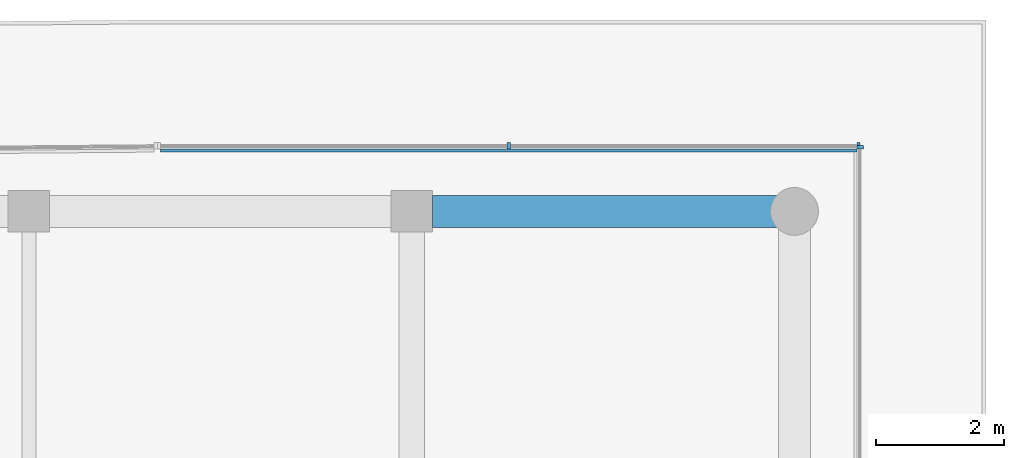
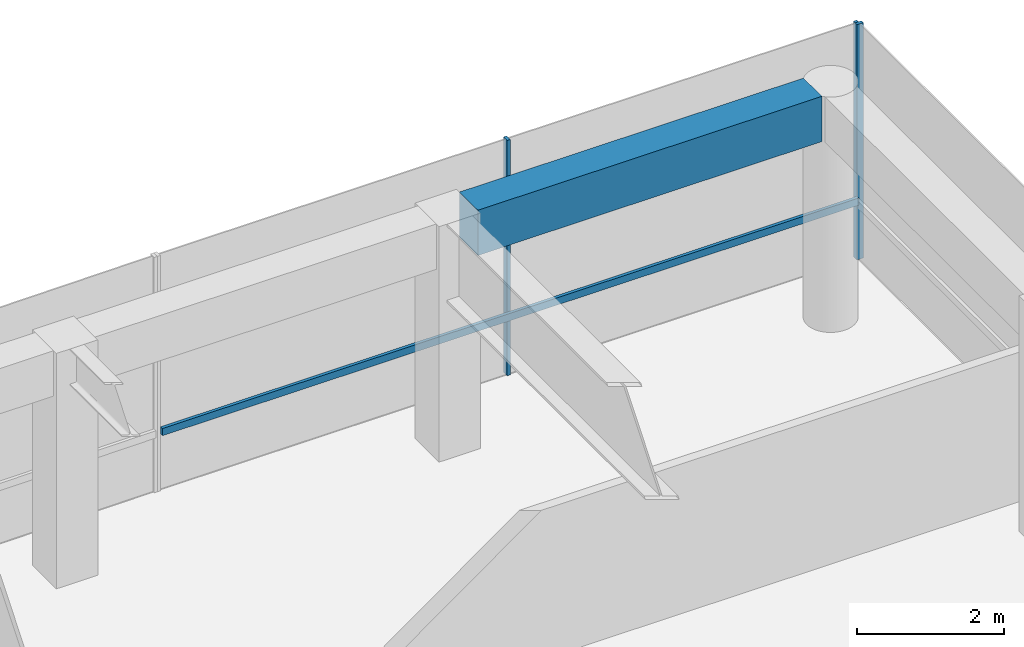
# One storey, part 15 of 21: 4 members, 1 beam, 2 elements without a shape of their own.
"""IFC4 building model written with IfcOpenShell, lengths in metres."""

from ifc_helpers import new_model, si_unit, direction, frame, origin, origin_2d, place, context, subcontext, project, spatial, rectangle, extrude, material, layer, layer_set, material_profile, profile_set, type_object, element, aggregate, save


model = new_model("IFC4")

# Units and contexts
model_context = context("Model", 3, precision=1e-05, world=origin(), true_north=direction((0.0, 1.0)))
body_context = subcontext(model_context, "Body", "Model", "MODEL_VIEW")
ifc_project = project(units=[si_unit("LENGTHUNIT", "METRE"), si_unit("AREAUNIT", "SQUARE_METRE"), si_unit("VOLUMEUNIT", "CUBIC_METRE"), si_unit("PLANEANGLEUNIT", "RADIAN"), si_unit("MASSUNIT", "GRAM", prefix="KILO")], contexts=[model_context])

# Site, building, storey
site_placement = place(None, origin())
site = spatial("IfcSite", under=ifc_project, at=site_placement, CompositionType="ELEMENT")
building_placement = place(site_placement, origin())
building = spatial("IfcBuilding", under=site, at=building_placement, Name="Welwitschia Terrace Campus", CompositionType="ELEMENT")
storey_placement = place(building_placement, frame((0.0, 0.0, 331.39990234375)))
storey = spatial("IfcBuildingStorey", under=building, at=storey_placement, Name="L74", CompositionType="ELEMENT", Elevation=331.39990234375)

# Curtain wall, member
ifc_material_1 = material(Name="Bronze anodised aluminium", Category="aluminium")
ifc_layer = layer(ifc_material_1, 0.10009765625)
ifc_layer_set = layer_set([ifc_layer], Name="Bronze anodised aluminium")
curtain_wall_type = type_object("IfcCurtainWallType", Name="Curtain wall CW5 crown 6000", PredefinedType="NOTDEFINED", material=ifc_layer_set)
curtain_wall_1_placement = place(storey_placement, origin())
curtain_wall_1 = element("IfcCurtainWall", 1, at=curtain_wall_1_placement, inside=storey, type_object=curtain_wall_type, Name="CW L74.7.0", PredefinedType="NOTDEFINED")
ifc_material_2 = material(Name="Bronze anodised aluminium", Category="aluminium")
ifc_material_profile_1 = material_profile(ifc_material_2, rectangle(XDim=0.10009765625, YDim=0.050048828125, at=origin_2d()))
ifc_profile_set_1 = profile_set([ifc_material_profile_1], Name="Bronze anodised aluminium")
member_type_1 = type_object("IfcMemberType", Name="Mullion 50x100", PredefinedType="MULLION", material=ifc_profile_set_1)
member_1_placement = place(storey_placement, frame((25.030029296875, 45.0048828125, 0.0), z_axis=(0.0, 0.0, 1.0), x_axis=(-1.0, 0.0, 0.0)))
member_1 = element("IfcMember", 2, at=member_1_placement, type_object=member_type_1, Name="Mullion L74.7.0.4", PredefinedType="MULLION", context=body_context, shape_type="SweptSolid", body=[
    extrude(rectangle(XDim=0.10009765625, YDim=0.050048828125, at=origin_2d()), origin(), (0.0, 0.0, 1.0), 3.900146484375),
])
aggregate(curtain_wall_1, [member_1])

# Curtain wall, members
curtain_wall_2_placement = place(storey_placement, origin())
curtain_wall_2 = element("IfcCurtainWall", 3, at=curtain_wall_2_placement, inside=storey, type_object=curtain_wall_type, Name="CW L74.8.0", PredefinedType="NOTDEFINED")
member_2_placement = place(storey_placement, frame((25.0048828125, 45.030029296875, 0.0), z_axis=(0.0, 0.0, 1.0), x_axis=(0.0, -1.0, 0.0)))
member_2 = element("IfcMember", 4, at=member_2_placement, type_object=member_type_1, Name="Mullion L74.8.0.0", PredefinedType="MULLION", context=body_context, shape_type="SweptSolid", body=[
    extrude(rectangle(XDim=0.10009765625, YDim=0.050048828125, at=origin_2d()), origin(), (0.0, 0.0, 1.0), 3.900146484375),
])
member_3_placement = place(storey_placement, frame((19.521484375, 45.030029296875, 0.0), z_axis=(0.0, 0.0, 1.0), x_axis=(0.0, -1.0, 0.0)))
member_3 = element("IfcMember", 5, at=member_3_placement, type_object=member_type_1, Name="Mullion L74.8.0.1", PredefinedType="MULLION", context=body_context, shape_type="SweptSolid", body=[
    extrude(rectangle(XDim=0.10009765625, YDim=0.050048828125, at=origin_2d()), origin(), (0.0, 0.0, 1.0), 3.900146484375),
])

# Beam
ifc_material_3 = material(Name="Concrete C40/50", Category="concrete")
ifc_material_profile_2 = material_profile(ifc_material_3, rectangle(XDim=0.5, YDim=0.75, at=origin_2d()))
ifc_profile_set_2 = profile_set([ifc_material_profile_2], Name="Concrete C40/50")
beam_type = type_object("IfcBeamType", Name="Ring spandrel 500x750", PredefinedType="SPANDREL", material=ifc_profile_set_2)
beam_placement = place(storey_placement, frame((23.719482421875, 44.0, 3.525146484375), z_axis=(-1.0, 0.0, 0.0), x_axis=(0.0, -1.0, 0.0)))
element("IfcBeam", 6, at=beam_placement, inside=storey, type_object=beam_type, Name="Spandrel SP5", PredefinedType="SPANDREL", context=body_context, shape_type="SweptSolid", body=[
    extrude(rectangle(XDim=0.5, YDim=0.75, at=origin_2d()), origin(), (0.0, 0.0, 1.0), 5.39404296875),
])

# Member
ifc_material_4 = material(Name="Bronze anodised aluminium", Category="aluminium")
ifc_material_profile_3 = material_profile(ifc_material_4, rectangle(XDim=0.050048828125, YDim=0.1201171875, at=origin_2d()))
ifc_profile_set_3 = profile_set([ifc_material_profile_3], Name="Bronze anodised aluminium")
member_type_2 = type_object("IfcMemberType", Name="Transom 50x120", PredefinedType="USERDEFINED", material=ifc_profile_set_3)
member_4_placement = place(storey_placement, frame((24.97998046875, 44.955078125, 1.0), z_axis=(-1.0, 0.0, 0.0), x_axis=(0.0, -1.0, 0.0)))
member_4 = element("IfcMember", 7, at=member_4_placement, type_object=member_type_2, Name="Transom L74.8.0", ObjectType="TRANSOM", PredefinedType="USERDEFINED", context=body_context, shape_type="SweptSolid", body=[
    extrude(rectangle(XDim=0.050048828125, YDim=0.1201171875, at=origin_2d()), origin(), (0.0, 0.0, 1.0), 10.917236328125),
])

aggregate(curtain_wall_2, [member_2, member_3, member_4])

save(model, "model.ifc")
